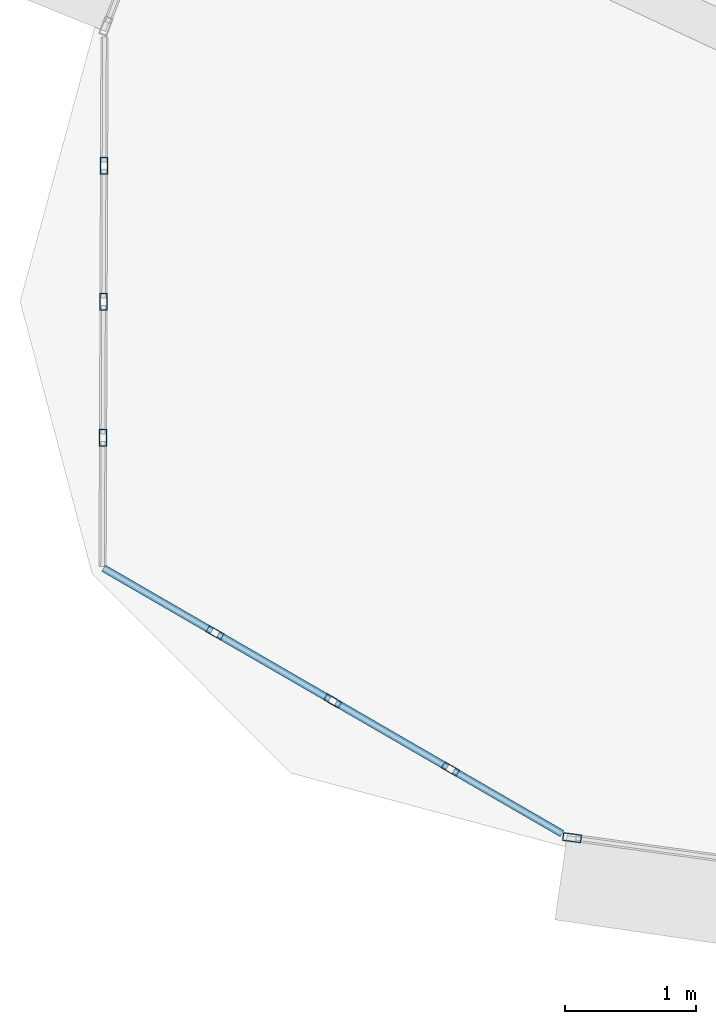
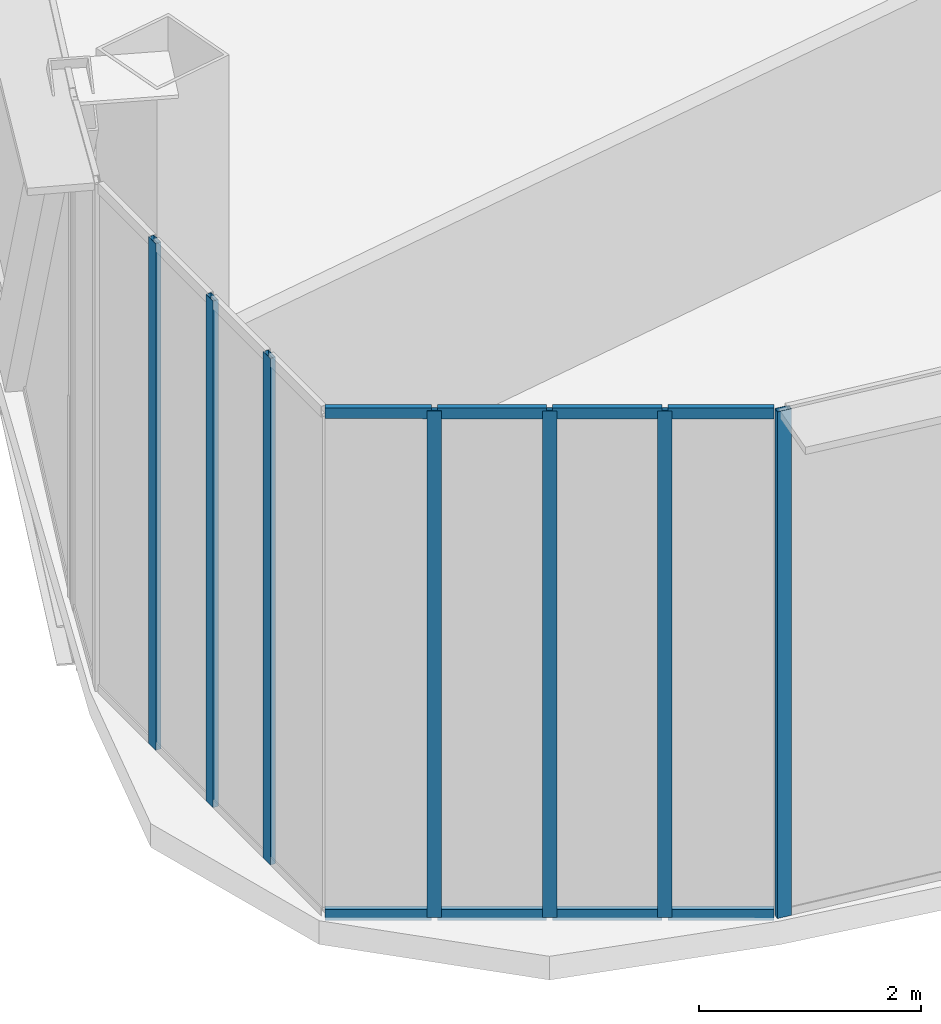
# One storey, part 2 of 38: 15 members, 3 elements without a shape of their own.
"""IFC4 building model written with IfcOpenShell, lengths in metres."""

from ifc_helpers import new_model, si_unit, direction, frame, origin, origin_2d, place, context, subcontext, project, spatial, hollow_rectangle, extrude, source, transform, mapped, material, layer, layer_set, material_profile, profile_set, type_object, element, aggregate, save


model = new_model("IFC4")

# Units and contexts
model_context = context("Model", 3, precision=1e-05, world=origin(), true_north=direction((0.0, 1.0)))
body_context = subcontext(model_context, "Body", "Model", "MODEL_VIEW")
ifc_project = project(units=[si_unit("LENGTHUNIT", "METRE"), si_unit("AREAUNIT", "SQUARE_METRE"), si_unit("VOLUMEUNIT", "CUBIC_METRE"), si_unit("PLANEANGLEUNIT", "RADIAN"), si_unit("MASSUNIT", "GRAM", prefix="KILO"), si_unit("THERMODYNAMICTEMPERATUREUNIT", "KELVIN"), si_unit("POWERUNIT", "WATT")], contexts=[model_context])

# Site, building, storey
site_placement = place(None, origin())
site = spatial("IfcSite", under=ifc_project, at=site_placement, CompositionType="ELEMENT")
building_placement = place(site_placement, origin())
building = spatial("IfcBuilding", under=site, at=building_placement, Name="Yunzhuo Pagoda Commons", CompositionType="ELEMENT")
storey_placement = place(building_placement, frame((0.0, 0.0, 266.909912109375)))
storey = spatial("IfcBuildingStorey", under=building, at=storey_placement, Name="L67", CompositionType="ELEMENT", Elevation=266.909912109375)

# Curtain wall, members
ifc_material = material(Name="Anodized aluminium 6063-T6", Category="aluminium")
ifc_layer_1 = layer(ifc_material, 0.1298828125)
ifc_layer_set_1 = layer_set([ifc_layer_1], Name="Anodized aluminium 6063-T6")
curtain_wall_type_1 = type_object("IfcCurtainWallType", Name="CW-VTX Rounded Corner Curtain Wall", PredefinedType="NOTDEFINED", material=ifc_layer_set_1)
curtain_wall_1_placement = place(storey_placement, origin())
curtain_wall_1 = element("IfcCurtainWall", 1, at=curtain_wall_1_placement, inside=storey, type_object=curtain_wall_type_1, Name="L67 curtain wall CW-L67-VTX1S2", PredefinedType="NOTDEFINED")
ifc_material_profile_1 = material_profile(ifc_material, hollow_rectangle(XDim=0.054931640625, YDim=0.1201171875, WallThickness=0.00341796875, at=origin_2d()), Name="Anodized aluminium 6063-T6")
ifc_profile_set_1 = profile_set([ifc_material_profile_1], Name="Anodized aluminium 6063-T6")
member_type_1 = type_object("IfcMemberType", Name="CW-VTX-T Transom RHS 120x55x3.5", PredefinedType="USERDEFINED", material=ifc_profile_set_1)
shared_shape_1 = source(origin(), body_context, "Body", "SweptSolid", [
    extrude(hollow_rectangle(XDim=0.054931640625, YDim=0.1201171875, WallThickness=0.00341796875, at=origin_2d()), origin(), (0.0, 0.0, 1.0), 0.983154296875),
])
member_1_placement = place(storey_placement, frame((15.401123046875, 21.97021484375, 0.027587890625), z_axis=(0.865556585354, -0.500811139604, 0.0), x_axis=(0.500811139604, 0.865556585354, 0.0)))
member_1 = element("IfcMember", 2, at=member_1_placement, type_object=member_type_1, Name="CW transom 2.1", ObjectType="TRANSOM", PredefinedType="USERDEFINED", context=body_context, shape_type="MappedRepresentation", body=[
    mapped(shared_shape_1, transform((0.0, 0.0, 0.0), scale=1.0)),
])
member_2_placement = place(storey_placement, frame((15.401123046875, 21.97021484375, 5.54248046875), z_axis=(0.865556585354, -0.500811139604, 0.0), x_axis=(0.500811139604, 0.865556585354, 0.0)))
member_2 = element("IfcMember", 3, at=member_2_placement, type_object=member_type_1, Name="CW transom 2.2", ObjectType="TRANSOM", PredefinedType="USERDEFINED", context=body_context, shape_type="MappedRepresentation", body=[
    mapped(shared_shape_1, transform((0.0, 0.0, 0.0), scale=1.0)),
])
member_3_placement = place(storey_placement, frame((16.2998046875, 21.4501953125, 0.027587890625), z_axis=(0.865494289942, -0.500918789903, 0.0), x_axis=(0.500918789903, 0.865494289942, 0.0)))
member_3 = element("IfcMember", 4, at=member_3_placement, type_object=member_type_1, Name="CW transom 3.1", ObjectType="TRANSOM", PredefinedType="USERDEFINED", context=body_context, shape_type="MappedRepresentation", body=[
    mapped(shared_shape_1, transform((0.0, 0.0, 0.0), scale=1.0)),
])
member_4_placement = place(storey_placement, frame((16.2998046875, 21.4501953125, 5.54248046875), z_axis=(0.865494289942, -0.500918789903, 0.0), x_axis=(0.500918789903, 0.865494289942, 0.0)))
member_4 = element("IfcMember", 5, at=member_4_placement, type_object=member_type_1, Name="CW transom 3.2", ObjectType="TRANSOM", PredefinedType="USERDEFINED", context=body_context, shape_type="MappedRepresentation", body=[
    mapped(shared_shape_1, transform((0.0, 0.0, 0.0), scale=1.0)),
])
shared_shape_2 = source(origin(), body_context, "Body", "SweptSolid", [
    extrude(hollow_rectangle(XDim=0.054931640625, YDim=0.1201171875, WallThickness=0.00341796875, at=origin_2d()), origin(), (0.0, 0.0, 1.0), 0.955810546875),
])
member_5_placement = place(storey_placement, frame((14.5263671875, 22.476806640625, 0.027587890625), z_axis=(0.865367988414, -0.501136951968, 0.0), x_axis=(0.501136951968, 0.865367988414, 0.0)))
member_5 = element("IfcMember", 6, at=member_5_placement, type_object=member_type_1, Name="CW transom 1.1", ObjectType="TRANSOM", PredefinedType="USERDEFINED", context=body_context, shape_type="MappedRepresentation", body=[
    mapped(shared_shape_2, transform((0.0, 0.0, 0.0), scale=1.0)),
])
member_6_placement = place(storey_placement, frame((14.5263671875, 22.476806640625, 5.54248046875), z_axis=(0.865367988414, -0.501136951968, 0.0), x_axis=(0.501136951968, 0.865367988414, 0.0)))
member_6 = element("IfcMember", 7, at=member_6_placement, type_object=member_type_1, Name="CW transom 1.2", ObjectType="TRANSOM", PredefinedType="USERDEFINED", context=body_context, shape_type="MappedRepresentation", body=[
    mapped(shared_shape_2, transform((0.0, 0.0, 0.0), scale=1.0)),
])
member_7_placement = place(storey_placement, frame((17.1982421875, 20.929931640625, 0.027587890625), z_axis=(0.86547874954, -0.50094563986, 0.0), x_axis=(0.50094563986, 0.86547874954, 0.0)))
member_7 = element("IfcMember", 8, at=member_7_placement, type_object=member_type_1, Name="CW transom 4.1", ObjectType="TRANSOM", PredefinedType="USERDEFINED", context=body_context, shape_type="MappedRepresentation", body=[
    mapped(shared_shape_2, transform((0.0, 0.0, 0.0), scale=1.0)),
])
member_8_placement = place(storey_placement, frame((17.1982421875, 20.929931640625, 5.54248046875), z_axis=(0.86547874954, -0.50094563986, 0.0), x_axis=(0.50094563986, 0.86547874954, 0.0)))
member_8 = element("IfcMember", 9, at=member_8_placement, type_object=member_type_1, Name="CW transom 4.2", ObjectType="TRANSOM", PredefinedType="USERDEFINED", context=body_context, shape_type="MappedRepresentation", body=[
    mapped(shared_shape_2, transform((0.0, 0.0, 0.0), scale=1.0)),
])

# Curtain wall, member
ifc_layer_2 = layer(ifc_material, 0.139892578125)
ifc_layer_set_2 = layer_set([ifc_layer_2], Name="Anodized aluminium 6063-T6")
curtain_wall_type_2 = type_object("IfcCurtainWallType", Name="CW-HI High-Zone Ribbon Curtain Wall", PredefinedType="NOTDEFINED", material=ifc_layer_set_2)
curtain_wall_2_placement = place(storey_placement, origin())
curtain_wall_2 = element("IfcCurtainWall", 10, at=curtain_wall_2_placement, inside=storey, type_object=curtain_wall_type_2, Name="L67 curtain wall CW-L67-F1B1", PredefinedType="NOTDEFINED")
ifc_material_profile_2 = material_profile(ifc_material, hollow_rectangle(XDim=0.06005859375, YDim=0.139892578125, WallThickness=0.00341796875, at=origin_2d()), Name="Anodized aluminium 6063-T6")
ifc_profile_set_2 = profile_set([ifc_material_profile_2], Name="Anodized aluminium 6063-T6")
member_type_2 = type_object("IfcMemberType", Name="CW-HI-M Mullion RHS 140x60x3.5", PredefinedType="MULLION", material=ifc_profile_set_2)
shared_shape_3 = source(origin(), body_context, "Body", "SweptSolid", [
    extrude(hollow_rectangle(XDim=0.06005859375, YDim=0.139892578125, WallThickness=0.00341796875, at=origin_2d()), origin(), (0.0, 0.0, 1.0), 5.5703125),
])
member_9_placement = place(storey_placement, frame((18.102783203125, 20.41943359375, 0.0), z_axis=(0.0, 0.0, 1.0), x_axis=(0.136099051399, 0.990695234776, 0.0)))
member_9 = element("IfcMember", 11, at=member_9_placement, type_object=member_type_2, Name="CW mullion 1", PredefinedType="MULLION", context=body_context, shape_type="MappedRepresentation", body=[
    mapped(shared_shape_3, transform((0.0, 0.0, 0.0), scale=1.0)),
])
aggregate(curtain_wall_2, [member_9])

# Curtain wall, members
curtain_wall_3_placement = place(storey_placement, origin())
curtain_wall_3 = element("IfcCurtainWall", 12, at=curtain_wall_3_placement, inside=storey, type_object=curtain_wall_type_1, Name="L67 curtain wall CW-L67-VTX1S1", PredefinedType="NOTDEFINED")
ifc_material_profile_3 = material_profile(ifc_material, hollow_rectangle(XDim=0.054931640625, YDim=0.1298828125, WallThickness=0.00341796875, at=origin_2d()), Name="Anodized aluminium 6063-T6")
ifc_profile_set_3 = profile_set([ifc_material_profile_3], Name="Anodized aluminium 6063-T6")
member_type_3 = type_object("IfcMemberType", Name="CW-VTX-M Mullion RHS 130x55x3.5", PredefinedType="MULLION", material=ifc_profile_set_3)
shared_shape_4 = source(origin(), body_context, "Body", "SweptSolid", [
    extrude(hollow_rectangle(XDim=0.054931640625, YDim=0.1298828125, WallThickness=0.00341796875, at=origin_2d()), origin(), (0.0, 0.0, 1.0), 5.5703125),
])
member_10_placement = place(storey_placement, frame((14.52978515625, 25.5498046875, 0.0), z_axis=(0.0, 0.0, 1.0), x_axis=(0.999993564023, -0.003587744782, 0.0)))
member_10 = element("IfcMember", 13, at=member_10_placement, type_object=member_type_3, Name="CW mullion 2", PredefinedType="MULLION", context=body_context, shape_type="MappedRepresentation", body=[
    mapped(shared_shape_4, transform((0.0, 0.0, 0.0), scale=1.0)),
])
member_11_placement = place(storey_placement, frame((14.526123046875, 24.511474609375, 0.0), z_axis=(0.0, 0.0, 1.0), x_axis=(0.999993564023, -0.003587744782, 0.0)))
member_11 = element("IfcMember", 14, at=member_11_placement, type_object=member_type_3, Name="CW mullion 3", PredefinedType="MULLION", context=body_context, shape_type="MappedRepresentation", body=[
    mapped(shared_shape_4, transform((0.0, 0.0, 0.0), scale=1.0)),
])
member_12_placement = place(storey_placement, frame((14.5224609375, 23.473388671875, 0.0), z_axis=(0.0, 0.0, 1.0), x_axis=(0.999993564023, -0.003587744782, 0.0)))
member_12 = element("IfcMember", 15, at=member_12_placement, type_object=member_type_3, Name="CW mullion 4", PredefinedType="MULLION", context=body_context, shape_type="MappedRepresentation", body=[
    mapped(shared_shape_4, transform((0.0, 0.0, 0.0), scale=1.0)),
])
aggregate(curtain_wall_3, [member_10, member_11, member_12])

# Member
member_13_placement = place(storey_placement, frame((15.37744140625, 21.984130859375, 0.0), z_axis=(0.0, 0.0, 1.0), x_axis=(0.501026778958, 0.865431780539, 0.0)))
member_13 = element("IfcMember", 16, at=member_13_placement, type_object=member_type_3, Name="CW mullion 2", PredefinedType="MULLION", context=body_context, shape_type="MappedRepresentation", body=[
    mapped(shared_shape_4, transform((0.0, 0.0, 0.0), scale=1.0)),
])

member_14_placement = place(storey_placement, frame((16.27587890625, 21.4638671875, 0.0), z_axis=(0.0, 0.0, 1.0), x_axis=(0.501026778958, 0.865431780539, 0.0)))
member_14 = element("IfcMember", 17, at=member_14_placement, type_object=member_type_3, Name="CW mullion 3", PredefinedType="MULLION", context=body_context, shape_type="MappedRepresentation", body=[
    mapped(shared_shape_4, transform((0.0, 0.0, 0.0), scale=1.0)),
])

member_15_placement = place(storey_placement, frame((17.1748046875, 20.94384765625, 0.0), z_axis=(0.0, 0.0, 1.0), x_axis=(0.501026778958, 0.865431780539, 0.0)))
member_15 = element("IfcMember", 18, at=member_15_placement, type_object=member_type_3, Name="CW mullion 4", PredefinedType="MULLION", context=body_context, shape_type="MappedRepresentation", body=[
    mapped(shared_shape_4, transform((0.0, 0.0, 0.0), scale=1.0)),
])

aggregate(curtain_wall_1, [member_13, member_14, member_15, member_5, member_6, member_1, member_2, member_3, member_4, member_7, member_8])

save(model, "model.ifc")
